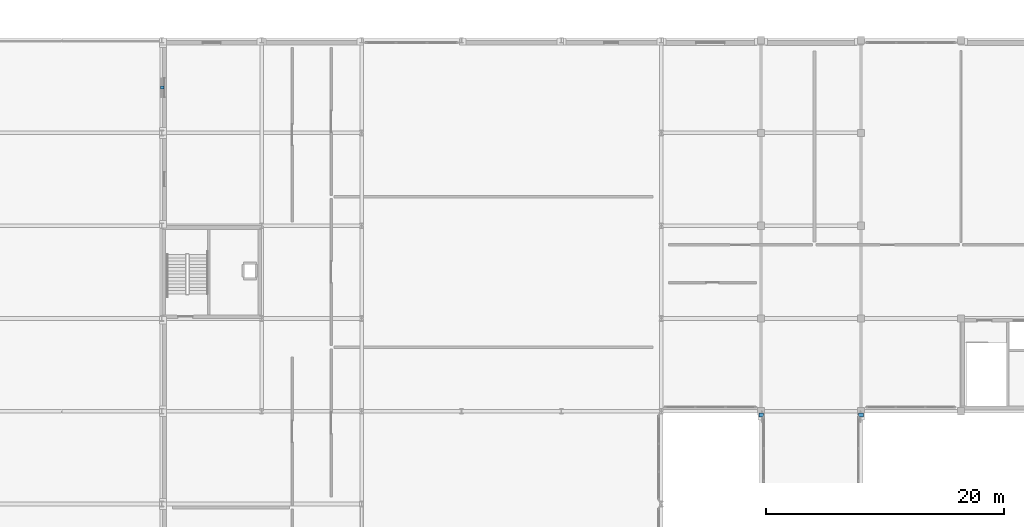
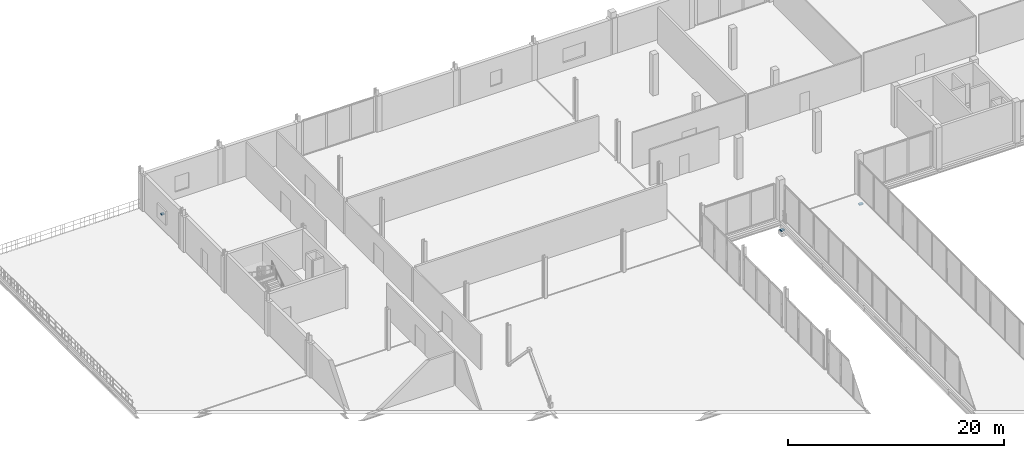
# One storey, part 82 of 98: 3 discrete accessories.
"""IFC4 building model written with IfcOpenShell, lengths in metres."""

from ifc_helpers import new_model, si_unit, direction, frame, origin, origin_2d, place, context, subcontext, project, spatial, rectangle, extrude, material, layer, layer_set, type_object, element, save


model = new_model("IFC4")

# Units and contexts
model_context = context("Model", 3, precision=1e-05, world=origin(), true_north=direction((0.0, 1.0)))
body_context = subcontext(model_context, "Body", "Model", "MODEL_VIEW")
ifc_project = project(units=[si_unit("LENGTHUNIT", "METRE"), si_unit("AREAUNIT", "SQUARE_METRE"), si_unit("VOLUMEUNIT", "CUBIC_METRE"), si_unit("PLANEANGLEUNIT", "RADIAN"), si_unit("MASSUNIT", "GRAM", prefix="KILO")], contexts=[model_context])

# Site, building, storey
site_placement = place(None, origin())
site = spatial("IfcSite", under=ifc_project, at=site_placement, CompositionType="ELEMENT")
building_placement = place(site_placement, origin())
building = spatial("IfcBuilding", under=site, at=building_placement, Name="Nabrawat Pavilion Hospital", CompositionType="ELEMENT")
storey_placement = place(building_placement, frame((0.0, 0.0, 10.199951171875)))
storey = spatial("IfcBuildingStorey", under=building, at=storey_placement, Name="L02", CompositionType="ELEMENT", Elevation=10.199951171875)

# Discrete accessories
ifc_material = material(Name="Steel S355", Category="steel")
ifc_layer_1 = layer(ifc_material, 0.159912109375, Name="Steel S355")
ifc_layer_set_1 = layer_set([ifc_layer_1], Name="Steel S355")
discrete_accessory_type_1 = type_object("IfcDiscreteAccessoryType", Name="Facade Shading Support Steel Bracket", PredefinedType="BRACKET", material=ifc_layer_set_1)
discrete_accessory_placement = place(storey_placement, frame((16.8349609375, 113.017578125, 1.64501953125), z_axis=(0.0, 0.0, 1.0), x_axis=(0.0, 1.0, 0.0)))
element("IfcDiscreteAccessory", 1, at=discrete_accessory_placement, inside=storey, type_object=discrete_accessory_type_1, Name="L02 Facade Shading Bracket 013", PredefinedType="BRACKET", context=body_context, shape_type="SweptSolid", body=[
    extrude(rectangle(XDim=0.239990234375, YDim=0.280029296875, at=origin_2d()), origin(), (0.0, 0.0, 1.0), 0.159912109375),
])
ifc_layer_2 = layer(ifc_material, 0.139892578125, Name="Steel S355")
ifc_layer_set_2 = layer_set([ifc_layer_2], Name="Steel S355")
discrete_accessory_type_2 = type_object("IfcDiscreteAccessoryType", Name="PTFE Elastomeric Bridge Sliding Bearing", PredefinedType="BRACKET", material=ifc_layer_set_2)
for number, where, z_axis, x_axis, name in (
    (2, (67.199951171875, 85.47998046875, -1.080078125), (0.0, 0.0, 1.0), (1.0, 0.0, 0.0), "L02 Courtyard Link Bridge PTFE Sliding Bearing N 10"),
    (3, (75.60009765625, 85.47998046875, -1.080078125), (0.0, 0.0, 1.0), (1.0, 0.0, 0.0), "L02 Courtyard Link Bridge PTFE Sliding Bearing N 12"),
):
    element("IfcDiscreteAccessory", number, at=place(storey_placement, frame(where, z_axis=z_axis, x_axis=x_axis)), inside=storey, type_object=discrete_accessory_type_2, Name=name, PredefinedType="BRACKET", context=body_context, shape_type="SweptSolid", body=[
        extrude(rectangle(XDim=0.39990234375, YDim=0.300048828125, at=origin_2d()), origin(), (0.0, 0.0, 1.0), 0.139892578125),
    ])

save(model, "model.ifc")
